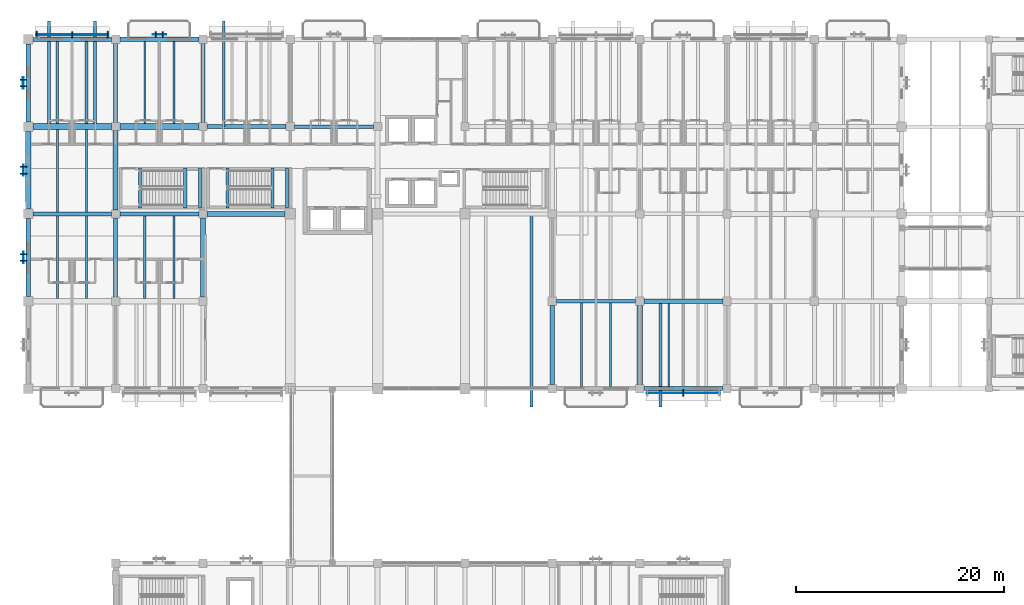
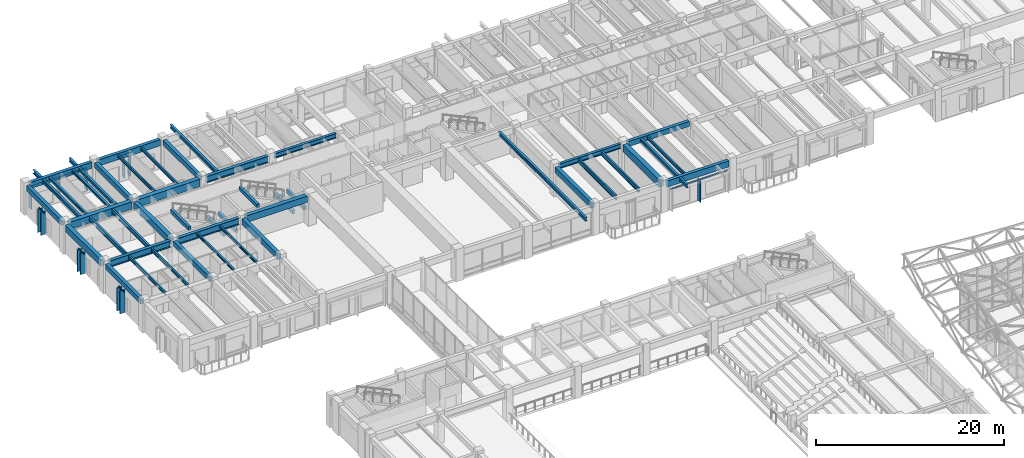
# One storey, part 43 of 132: 46 beams, 18 members, 6 elements without a shape of their own.
"""IFC4 building model written with IfcOpenShell, lengths in metres."""

from ifc_helpers import new_model, si_unit, direction, frame, origin, origin_2d, place, context, subcontext, project, spatial, rectangle, i_section, extrude, material, material_profile, profile_set, type_object, element, aggregate, save


model = new_model("IFC4")

# Units and contexts
model_context = context("Model", 3, precision=1e-05, world=origin(), true_north=direction((0.0, 1.0)))
body_context = subcontext(model_context, "Body", "Model", "MODEL_VIEW")
ifc_project = project(units=[si_unit("LENGTHUNIT", "METRE"), si_unit("AREAUNIT", "SQUARE_METRE"), si_unit("VOLUMEUNIT", "CUBIC_METRE"), si_unit("PLANEANGLEUNIT", "RADIAN"), si_unit("MASSUNIT", "GRAM", prefix="KILO")], contexts=[model_context])

# Site, building, storey
site_placement = place(None, origin())
site = spatial("IfcSite", under=ifc_project, at=site_placement, CompositionType="ELEMENT")
building_placement = place(site_placement, origin())
building = spatial("IfcBuilding", under=site, at=building_placement, Name="Cumbredor Promenade Congress Hotel", CompositionType="ELEMENT")
storey_placement = place(building_placement, frame((0.0, 0.0, 7.56005859375)))
storey = spatial("IfcBuildingStorey", under=building, at=storey_placement, Name="L02", CompositionType="ELEMENT", Elevation=7.56005859375)

# Beams
ifc_material_1 = material(Name="Concrete C40/50", Category="concrete")
ifc_material_profile_1 = material_profile(ifc_material_1, rectangle(XDim=0.39990234375, YDim=0.64990234375, at=origin_2d()), Name="RC BEAM 400x650")
ifc_profile_set_1 = profile_set([ifc_material_profile_1], Name="Concrete C40/50")
beam_type_1 = type_object("IfcBeamType", Name="BM-RC-400x650", PredefinedType="BEAM", material=ifc_profile_set_1)
for number, where, z_axis, x_axis, name in (
    (1, (0.0, 92.85009765625, 3.474853515625), (0.0, 1.0, 0.0), (-1.0, 0.0, 0.0), "L03 Y-Grid Beam 004"),
    (2, (0.0, 109.64990234375, 3.474853515625), (0.0, 1.0, 0.0), (-1.0, 0.0, 0.0), "L03 Y-Grid Beam 008"),
):
    element("IfcBeam", number, at=place(storey_placement, frame(where, z_axis=z_axis, x_axis=x_axis)), inside=storey, type_object=beam_type_1, Name=name, PredefinedType="BEAM", context=body_context, shape_type="SweptSolid", body=[
        extrude(rectangle(XDim=0.39990234375, YDim=0.64990234375, at=origin_2d()), origin(), (0.0, 0.0, 1.0), 7.5),
    ])
for number, where, z_axis, x_axis, name in (
    (3, (8.39990234375, 92.800048828125, 3.474853515625), (0.0, 1.0, 0.0), (-1.0, 0.0, 0.0), "L03 Y-Grid Beam 028"),
    (4, (8.39990234375, 109.60009765625, 3.474853515625), (0.0, 1.0, 0.0), (-1.0, 0.0, 0.0), "L03 Y-Grid Beam 032"),
    (5, (16.800048828125, 109.60009765625, 3.474853515625), (0.0, 1.0, 0.0), (-1.0, 0.0, 0.0), "L03 Y-Grid Beam 048"),
):
    element("IfcBeam", number, at=place(storey_placement, frame(where, z_axis=z_axis, x_axis=x_axis)), inside=storey, type_object=beam_type_1, Name=name, PredefinedType="BEAM", context=body_context, shape_type="SweptSolid", body=[
        extrude(rectangle(XDim=0.39990234375, YDim=0.64990234375, at=origin_2d()), origin(), (0.0, 0.0, 1.0), 7.599853515625),
    ])
beam_1_placement = place(storey_placement, frame((59.199951171875, 92.39990234375, 3.474853515625), z_axis=(1.0, 0.0, 0.0), x_axis=(0.0, 1.0, 0.0)))
element("IfcBeam", 6, at=beam_1_placement, inside=storey, type_object=beam_type_1, Name="L03 X-Grid Beam 108", PredefinedType="BEAM", context=body_context, shape_type="SweptSolid", body=[
    extrude(rectangle(XDim=0.39990234375, YDim=0.64990234375, at=origin_2d()), origin(), (0.0, 0.0, 1.0), 7.60009765625),
])
ifc_material_profile_2 = material_profile(ifc_material_1, rectangle(XDim=0.449951171875, YDim=0.75, at=origin_2d()), Name="RC BEAM 450x750")
ifc_profile_set_2 = profile_set([ifc_material_profile_2], Name="Concrete C40/50")
beam_type_2 = type_object("IfcBeamType", Name="BM-RC-450x750", PredefinedType="BEAM", material=ifc_profile_set_2)
beam_2_placement = place(storey_placement, frame((16.800048828125, 92.800048828125, 3.425048828125), z_axis=(0.0, 1.0, 0.0), x_axis=(-1.0, 0.0, 0.0)))
element("IfcBeam", 7, at=beam_2_placement, inside=storey, type_object=beam_type_2, Name="L03 Y-Grid Beam 045", PredefinedType="BEAM", context=body_context, shape_type="SweptSolid", body=[
    extrude(rectangle(XDim=0.449951171875, YDim=0.75, at=origin_2d()), origin(), (0.0, 0.0, 1.0), 7.599853515625),
])
beam_3_placement = place(storey_placement, frame((50.39990234375, 84.39990234375, 3.425048828125), z_axis=(0.0, 1.0, 0.0), x_axis=(-1.0, 0.0, 0.0)))
element("IfcBeam", 8, at=beam_3_placement, inside=storey, type_object=beam_type_2, Name="L03 Y-Grid Beam 085", PredefinedType="BEAM", context=body_context, shape_type="SweptSolid", body=[
    extrude(rectangle(XDim=0.449951171875, YDim=0.75, at=origin_2d()), origin(), (0.0, 0.0, 1.0), 7.60009765625),
])
ifc_material_profile_3 = material_profile(ifc_material_1, rectangle(XDim=0.5, YDim=0.85009765625, at=origin_2d()), Name="RC BEAM 500x850")
ifc_profile_set_3 = profile_set([ifc_material_profile_3], Name="Concrete C40/50")
beam_type_3 = type_object("IfcBeamType", Name="BM-RC-500x850", PredefinedType="BEAM", material=ifc_profile_set_3)
beam_4_placement = place(storey_placement, frame((0.0, 101.25, 3.375), z_axis=(0.0, 1.0, 0.0), x_axis=(-1.0, 0.0, 0.0)))
element("IfcBeam", 9, at=beam_4_placement, inside=storey, type_object=beam_type_3, Name="L03 Y-Grid Beam 006", PredefinedType="BEAM", context=body_context, shape_type="SweptSolid", body=[
    extrude(rectangle(XDim=0.5, YDim=0.85009765625, at=origin_2d()), origin(), (0.0, 0.0, 1.0), 7.5),
])
beam_5_placement = place(storey_placement, frame((8.39990234375, 101.199951171875, 3.375), z_axis=(0.0, 1.0, 0.0), x_axis=(-1.0, 0.0, 0.0)))
element("IfcBeam", 10, at=beam_5_placement, inside=storey, type_object=beam_type_3, Name="L03 Y-Grid Beam 030", PredefinedType="BEAM", context=body_context, shape_type="SweptSolid", body=[
    extrude(rectangle(XDim=0.5, YDim=0.85009765625, at=origin_2d()), origin(), (0.0, 0.0, 1.0), 7.60009765625),
])
beam_6_placement = place(storey_placement, frame((17.199951171875, 100.800048828125, 3.375), z_axis=(1.0, 0.0, 0.0), x_axis=(0.0, 1.0, 0.0)))
element("IfcBeam", 11, at=beam_6_placement, inside=storey, type_object=beam_type_3, Name="L03 X-Grid Beam 046", PredefinedType="BEAM", context=body_context, shape_type="SweptSolid", body=[
    extrude(rectangle(XDim=0.5, YDim=0.85009765625, at=origin_2d()), origin(), (0.0, 0.0, 1.0), 7.5),
])
ifc_material_profile_4 = material_profile(ifc_material_1, rectangle(XDim=0.550048828125, YDim=0.949951171875, at=origin_2d()), Name="RC BEAM 550x950")
ifc_profile_set_4 = profile_set([ifc_material_profile_4], Name="Concrete C40/50")
beam_type_4 = type_object("IfcBeamType", Name="BM-RC-550x950", PredefinedType="BEAM", material=ifc_profile_set_4)
beam_7_placement = place(storey_placement, frame((0.449951171875, 109.199951171875, 3.324951171875), z_axis=(1.0, 0.0, 0.0), x_axis=(0.0, 1.0, 0.0)))
element("IfcBeam", 12, at=beam_7_placement, inside=storey, type_object=beam_type_4, Name="L03 X-Grid Beam 007", PredefinedType="BEAM", context=body_context, shape_type="SweptSolid", body=[
    extrude(rectangle(XDim=0.550048828125, YDim=0.949951171875, at=origin_2d()), origin(), (0.0, 0.0, 1.0), 7.550048828125),
])
beam_8_placement = place(storey_placement, frame((8.800048828125, 109.199951171875, 3.324951171875), z_axis=(1.0, 0.0, 0.0), x_axis=(0.0, 1.0, 0.0)))
element("IfcBeam", 13, at=beam_8_placement, inside=storey, type_object=beam_type_4, Name="L03 X-Grid Beam 031", PredefinedType="BEAM", context=body_context, shape_type="SweptSolid", body=[
    extrude(rectangle(XDim=0.550048828125, YDim=0.949951171875, at=origin_2d()), origin(), (0.0, 0.0, 1.0), 7.599853515625),
])
beam_9_placement = place(storey_placement, frame((58.800048828125, 84.39990234375, 3.324951171875), z_axis=(0.0, 1.0, 0.0), x_axis=(-1.0, 0.0, 0.0)))
element("IfcBeam", 14, at=beam_9_placement, inside=storey, type_object=beam_type_4, Name="L03 Y-Grid Beam 107", PredefinedType="BEAM", context=body_context, shape_type="SweptSolid", body=[
    extrude(rectangle(XDim=0.550048828125, YDim=0.949951171875, at=origin_2d()), origin(), (0.0, 0.0, 1.0), 7.60009765625),
])
ifc_material_2 = material(Name="Steel ASTM A992 Grade 50", Category="steel")
ifc_material_profile_5 = material_profile(ifc_material_2, i_section(OverallWidth=0.323974609375, OverallDepth=0.611083984375, WebThickness=0.0126953125, FlangeThickness=0.01904296875, at=origin_2d()), Name="W24X104")
ifc_profile_set_5 = profile_set([ifc_material_profile_5], Name="Steel ASTM A992 Grade 50")
beam_type_5 = type_object("IfcBeamType", Name="BM-W24X104", PredefinedType="BEAM", material=ifc_profile_set_5)
for number, where, z_axis, x_axis, name in (
    (15, (25.60009765625, 109.199951171875, 3.494384765625), (1.0, 0.0, 0.0), (0.0, 1.0, 0.0), "L03 X-Grid Beam 056"),
    (16, (50.800048828125, 92.39990234375, 3.494384765625), (1.0, 0.0, 0.0), (0.0, 1.0, 0.0), "L03 X-Grid Beam 086"),
):
    element("IfcBeam", number, at=place(storey_placement, frame(where, z_axis=z_axis, x_axis=x_axis)), inside=storey, type_object=beam_type_5, Name=name, PredefinedType="BEAM", context=body_context, shape_type="SweptSolid", body=[
        extrude(i_section(OverallWidth=0.323974609375, OverallDepth=0.611083984375, WebThickness=0.0126953125, FlangeThickness=0.01904296875, at=origin_2d()), origin(), (0.0, 0.0, 1.0), 7.599853515625),
    ])
ifc_material_profile_6 = material_profile(ifc_material_2, i_section(OverallWidth=0.39990234375, OverallDepth=0.85498046875, WebThickness=0.018310546875, FlangeThickness=0.029296875, at=origin_2d()), Name="W33X201")
ifc_profile_set_6 = profile_set([ifc_material_profile_6], Name="Steel ASTM A992 Grade 50")
beam_type_6 = type_object("IfcBeamType", Name="BM-W33X201", PredefinedType="BEAM", material=ifc_profile_set_6)
beam_10_placement = place(storey_placement, frame((0.449951171875, 100.800048828125, 3.37255859375), z_axis=(1.0, 0.0, 0.0), x_axis=(0.0, 1.0, 0.0)))
element("IfcBeam", 17, at=beam_10_placement, inside=storey, type_object=beam_type_6, Name="L03 X-Grid Beam 005", PredefinedType="BEAM", context=body_context, shape_type="SweptSolid", body=[
    extrude(i_section(OverallWidth=0.39990234375, OverallDepth=0.85498046875, WebThickness=0.018310546875, FlangeThickness=0.029296875, at=origin_2d()), origin(), (0.0, 0.0, 1.0), 7.550048828125),
])
beam_11_placement = place(storey_placement, frame((8.800048828125, 100.800048828125, 3.37255859375), z_axis=(1.0, 0.0, 0.0), x_axis=(0.0, 1.0, 0.0)))
element("IfcBeam", 18, at=beam_11_placement, inside=storey, type_object=beam_type_6, Name="L03 X-Grid Beam 029", PredefinedType="BEAM", context=body_context, shape_type="SweptSolid", body=[
    extrude(i_section(OverallWidth=0.39990234375, OverallDepth=0.85498046875, WebThickness=0.018310546875, FlangeThickness=0.029296875, at=origin_2d()), origin(), (0.0, 0.0, 1.0), 7.599853515625),
])
beam_12_placement = place(storey_placement, frame((17.199951171875, 109.199951171875, 3.37255859375), z_axis=(1.0, 0.0, 0.0), x_axis=(0.0, 1.0, 0.0)))
element("IfcBeam", 19, at=beam_12_placement, inside=storey, type_object=beam_type_6, Name="L03 X-Grid Beam 047", PredefinedType="BEAM", context=body_context, shape_type="SweptSolid", body=[
    extrude(i_section(OverallWidth=0.39990234375, OverallDepth=0.85498046875, WebThickness=0.018310546875, FlangeThickness=0.029296875, at=origin_2d()), origin(), (0.0, 0.0, 1.0), 7.60009765625),
])

# Curtain wall, member
ifc_material_3 = material(Name="Thermally broken anodized aluminium and low-E glass", Category="aluminium")
curtain_wall_type = type_object("IfcCurtainWallType", Name="Solar Brise-Soleil Screen Assembly CW-07", PredefinedType="NOTDEFINED", material=ifc_material_3)
curtain_wall_1_placement = place(storey_placement, origin())
curtain_wall_1 = element("IfcCurtainWall", 20, at=curtain_wall_1_placement, inside=storey, type_object=curtain_wall_type, Name="L02 Hospitality Brise-Soleil Screen 041", PredefinedType="NOTDEFINED")
ifc_material_4 = material(Name="Thermally broken anodized aluminium", Category="aluminium")
ifc_material_profile_7 = material_profile(ifc_material_4, rectangle(XDim=0.06494140625, YDim=0.1298828125, at=origin_2d()), Name="ALU TRANSOM 65x130")
ifc_profile_set_7 = profile_set([ifc_material_profile_7], Name="Thermally broken anodized aluminium")
member_type_1 = type_object("IfcMemberType", Name="Curtain Wall Transom TR-01", PredefinedType="USERDEFINED", material=ifc_profile_set_7)
member_1_placement = place(storey_placement, frame((59.5009765625, 83.577392578125, 2.804931640625), z_axis=(1.0, 0.0, 0.0), x_axis=(0.0, 1.0, 0.0)))
member_1 = element("IfcMember", 21, at=member_1_placement, type_object=member_type_1, Name="L02 Brise-Soleil Screen Transom 041", ObjectType="TRANSOM", PredefinedType="USERDEFINED", context=body_context, shape_type="SweptSolid", body=[
    extrude(rectangle(XDim=0.06494140625, YDim=0.1298828125, at=origin_2d()), origin(), (0.0, 0.0, 1.0), 6.998046875),
])

curtain_wall_2_placement = place(storey_placement, origin())
curtain_wall_2 = element("IfcCurtainWall", 22, at=curtain_wall_2_placement, inside=storey, type_object=curtain_wall_type, Name="L02 Hospitality Brise-Soleil Screen 043", PredefinedType="NOTDEFINED")
member_2_placement = place(storey_placement, frame((0.7509765625, 118.034912109375, 2.804931640625), z_axis=(1.0, 0.0, 0.0), x_axis=(0.0, 1.0, 0.0)))
member_2 = element("IfcMember", 23, at=member_2_placement, type_object=member_type_1, Name="L02 Brise-Soleil Screen Transom 043", ObjectType="TRANSOM", PredefinedType="USERDEFINED", context=body_context, shape_type="SweptSolid", body=[
    extrude(rectangle(XDim=0.06494140625, YDim=0.1298828125, at=origin_2d()), origin(), (0.0, 0.0, 1.0), 6.947998046875),
])

curtain_wall_3_placement = place(storey_placement, origin())
curtain_wall_3 = element("IfcCurtainWall", 24, at=curtain_wall_3_placement, inside=storey, type_object=curtain_wall_type, Name="L02 Veranda Solar Brise-Soleil Screen 475", PredefinedType="NOTDEFINED")
member_3_placement = place(storey_placement, frame((11.949951171875, 118.050048828125, 2.905029296875), z_axis=(1.0, 0.0, 0.0), x_axis=(0.0, 1.0, 0.0)))
member_3 = element("IfcMember", 25, at=member_3_placement, type_object=member_type_1, Name="L02 Brise-Soleil Header Tie 0477", ObjectType="TRANSOM", PredefinedType="USERDEFINED", context=body_context, shape_type="SweptSolid", body=[
    extrude(rectangle(XDim=0.06494140625, YDim=0.1298828125, at=origin_2d()), origin(), (0.0, 0.0, 1.0), 1.300048828125),
])

curtain_wall_4_placement = place(storey_placement, origin())
curtain_wall_4 = element("IfcCurtainWall", 26, at=curtain_wall_4_placement, inside=storey, type_object=curtain_wall_type, Name="L02 Pier Brise-Soleil Screen 0502", PredefinedType="NOTDEFINED")
member_4_placement = place(storey_placement, frame((-0.449951171875, 96.050048828125, 2.974853515625), z_axis=(0.0, 1.0, 0.0), x_axis=(-1.0, 0.0, 0.0)))
member_4 = element("IfcMember", 27, at=member_4_placement, type_object=member_type_1, Name="L02 Pier Brise-Soleil Header 0504", ObjectType="TRANSOM", PredefinedType="USERDEFINED", context=body_context, shape_type="SweptSolid", body=[
    extrude(rectangle(XDim=0.06494140625, YDim=0.1298828125, at=origin_2d()), origin(), (0.0, 0.0, 1.0), 1.099853515625),
])

curtain_wall_5_placement = place(storey_placement, origin())
curtain_wall_5 = element("IfcCurtainWall", 28, at=curtain_wall_5_placement, inside=storey, type_object=curtain_wall_type, Name="L02 Pier Brise-Soleil Screen 0505", PredefinedType="NOTDEFINED")
member_5_placement = place(storey_placement, frame((-0.472412109375, 104.449951171875, 2.77490234375), z_axis=(0.0, 1.0, 0.0), x_axis=(-1.0, 0.0, 0.0)))
member_5 = element("IfcMember", 29, at=member_5_placement, type_object=member_type_1, Name="L02 Pier Brise-Soleil Header 0507", ObjectType="TRANSOM", PredefinedType="USERDEFINED", context=body_context, shape_type="SweptSolid", body=[
    extrude(rectangle(XDim=0.06494140625, YDim=0.1298828125, at=origin_2d()), origin(), (0.0, 0.0, 1.0), 1.10009765625),
])

curtain_wall_6_placement = place(storey_placement, origin())
curtain_wall_6 = element("IfcCurtainWall", 30, at=curtain_wall_6_placement, inside=storey, type_object=curtain_wall_type, Name="L02 Pier Brise-Soleil Screen 0508", PredefinedType="NOTDEFINED")
member_6_placement = place(storey_placement, frame((-0.485107421875, 112.85009765625, 2.974853515625), z_axis=(0.0, 1.0, 0.0), x_axis=(-1.0, 0.0, 0.0)))
member_6 = element("IfcMember", 31, at=member_6_placement, type_object=member_type_1, Name="L02 Pier Brise-Soleil Header 0510", ObjectType="TRANSOM", PredefinedType="USERDEFINED", context=body_context, shape_type="SweptSolid", body=[
    extrude(rectangle(XDim=0.06494140625, YDim=0.1298828125, at=origin_2d()), origin(), (0.0, 0.0, 1.0), 1.099853515625),
])

# Beams
ifc_material_profile_8 = material_profile(ifc_material_2, i_section(OverallWidth=0.202880859375, OverallDepth=0.302978515625, WebThickness=0.007568359375, FlangeThickness=0.01318359375, at=origin_2d()), Name="W12X40")
ifc_profile_set_8 = profile_set([ifc_material_profile_8], Name="Steel ASTM A992 Grade 50")
beam_type_7 = type_object("IfcBeamType", Name="JST-W12X40", PredefinedType="JOIST", material=ifc_profile_set_8)
for number, where, z_axis, x_axis, name in (
    (32, (11.199951171875, 92.675048828125, 3.6484375), (0.0, 1.0, 0.0), (-1.0, 0.0, 0.0), "L03 Secondary Floor Joist 0021"),
    (33, (14.0, 92.675048828125, 3.6484375), (0.0, 1.0, 0.0), (-1.0, 0.0, 0.0), "L03 Secondary Floor Joist 0022"),
):
    element("IfcBeam", number, at=place(storey_placement, frame(where, z_axis=z_axis, x_axis=x_axis)), inside=storey, type_object=beam_type_7, Name=name, PredefinedType="JOIST", context=body_context, shape_type="SweptSolid", body=[
        extrude(i_section(OverallWidth=0.202880859375, OverallDepth=0.302978515625, WebThickness=0.007568359375, FlangeThickness=0.01318359375, at=origin_2d()), origin(), (0.0, 0.0, 1.0), 7.925048828125),
    ])
ifc_material_profile_9 = material_profile(ifc_material_2, i_section(OverallWidth=0.2548828125, OverallDepth=0.35693359375, WebThickness=0.010498046875, FlangeThickness=0.018310546875, at=origin_2d()), Name="W14X68")
ifc_profile_set_9 = profile_set([ifc_material_profile_9], Name="Steel ASTM A992 Grade 50")
beam_type_8 = type_object("IfcBeamType", Name="JST-W14X68", PredefinedType="JOIST", material=ifc_profile_set_9)
for number, where, z_axis, x_axis, name in (
    (34, (2.800048828125, 109.47509765625, 3.621337890625), (0.0, 1.0, 0.0), (-1.0, 0.0, 0.0), "L03 Secondary Floor Joist 0007"),
    (35, (5.60009765625, 109.47509765625, 3.621337890625), (0.0, 1.0, 0.0), (-1.0, 0.0, 0.0), "L03 Secondary Floor Joist 0008"),
):
    element("IfcBeam", number, at=place(storey_placement, frame(where, z_axis=z_axis, x_axis=x_axis)), inside=storey, type_object=beam_type_8, Name=name, PredefinedType="JOIST", context=body_context, shape_type="SweptSolid", body=[
        extrude(i_section(OverallWidth=0.2548828125, OverallDepth=0.35693359375, WebThickness=0.010498046875, FlangeThickness=0.018310546875, at=origin_2d()), origin(), (0.0, 0.0, 1.0), 7.9248046875),
    ])
ifc_material_profile_10 = material_profile(ifc_material_2, i_section(OverallWidth=0.180908203125, OverallDepth=0.4169921875, WebThickness=0.010986328125, FlangeThickness=0.018310546875, at=origin_2d()), Name="W16X57")
ifc_profile_set_10 = profile_set([ifc_material_profile_10], Name="Steel ASTM A992 Grade 50")
beam_type_9 = type_object("IfcBeamType", Name="JST-W16X57", PredefinedType="JOIST", material=ifc_profile_set_10)
for number, where, z_axis, x_axis, name in (
    (36, (2.800048828125, 92.675048828125, 3.591552734375), (0.0, 1.0, 0.0), (-1.0, 0.0, 0.0), "L03 Secondary Floor Joist 0003"),
    (37, (5.60009765625, 92.675048828125, 3.591552734375), (0.0, 1.0, 0.0), (-1.0, 0.0, 0.0), "L03 Secondary Floor Joist 0004"),
):
    element("IfcBeam", number, at=place(storey_placement, frame(where, z_axis=z_axis, x_axis=x_axis)), inside=storey, type_object=beam_type_9, Name=name, PredefinedType="JOIST", context=body_context, shape_type="SweptSolid", body=[
        extrude(i_section(OverallWidth=0.180908203125, OverallDepth=0.4169921875, WebThickness=0.010986328125, FlangeThickness=0.018310546875, at=origin_2d()), origin(), (0.0, 0.0, 1.0), 7.925048828125),
    ])
for number, where, z_axis, x_axis, name in (
    (38, (11.199951171875, 109.47509765625, 3.591552734375), (0.0, 1.0, 0.0), (-1.0, 0.0, 0.0), "L03 Secondary Floor Joist 0023"),
    (39, (14.0, 109.47509765625, 3.591552734375), (0.0, 1.0, 0.0), (-1.0, 0.0, 0.0), "L03 Secondary Floor Joist 0024"),
):
    element("IfcBeam", number, at=place(storey_placement, frame(where, z_axis=z_axis, x_axis=x_axis)), inside=storey, type_object=beam_type_9, Name=name, PredefinedType="JOIST", context=body_context, shape_type="SweptSolid", body=[
        extrude(i_section(OverallWidth=0.180908203125, OverallDepth=0.4169921875, WebThickness=0.010986328125, FlangeThickness=0.018310546875, at=origin_2d()), origin(), (0.0, 0.0, 1.0), 7.9248046875),
    ])
beam_13_placement = place(storey_placement, frame((61.60009765625, 84.199951171875, 3.591552734375), z_axis=(0.0, 1.0, 0.0), x_axis=(-1.0, 0.0, 0.0)))
element("IfcBeam", 40, at=beam_13_placement, inside=storey, type_object=beam_type_9, Name="L03 Secondary Floor Joist 0058", PredefinedType="JOIST", context=body_context, shape_type="SweptSolid", body=[
    extrude(i_section(OverallWidth=0.180908203125, OverallDepth=0.4169921875, WebThickness=0.010986328125, FlangeThickness=0.018310546875, at=origin_2d()), origin(), (0.0, 0.0, 1.0), 8.0),
])
ifc_material_profile_11 = material_profile(ifc_material_2, i_section(OverallWidth=0.280029296875, OverallDepth=0.462890625, WebThickness=0.0107421875, FlangeThickness=0.017333984375, at=origin_2d()), Name="W18X76")
ifc_profile_set_11 = profile_set([ifc_material_profile_11], Name="Steel ASTM A992 Grade 50")
beam_type_10 = type_object("IfcBeamType", Name="JST-W18X76", PredefinedType="JOIST", material=ifc_profile_set_11)
for number, where, z_axis, x_axis, name in (
    (41, (2.0, 109.199951171875, 3.568359375), (0.0, 1.0, 0.0), (-1.0, 0.0, 0.0), "L03 Balcony Back-Spanned Outrigger Beam 012.1"),
    (42, (6.39990234375, 109.199951171875, 3.568359375), (0.0, 1.0, 0.0), (-1.0, 0.0, 0.0), "L03 Balcony Back-Spanned Outrigger Beam 012.2"),
    (43, (18.800048828125, 109.199951171875, 3.568359375), (0.0, 1.0, 0.0), (-1.0, 0.0, 0.0), "L03 Balcony Back-Spanned Outrigger Beam 013.1"),
):
    element("IfcBeam", number, at=place(storey_placement, frame(where, z_axis=z_axis, x_axis=x_axis)), inside=storey, type_object=beam_type_10, Name=name, PredefinedType="JOIST", context=body_context, shape_type="SweptSolid", body=[
        extrude(i_section(OverallWidth=0.280029296875, OverallDepth=0.462890625, WebThickness=0.0107421875, FlangeThickness=0.017333984375, at=origin_2d()), origin(), (0.0, 0.0, 1.0), 10.150146484375),
    ])
beam_14_placement = place(storey_placement, frame((48.39990234375, 82.25, 3.568359375), z_axis=(0.0, 1.0, 0.0), x_axis=(-1.0, 0.0, 0.0)))
element("IfcBeam", 44, at=beam_14_placement, inside=storey, type_object=beam_type_10, Name="L03 Balcony Back-Spanned Outrigger Beam 017.2", PredefinedType="JOIST", context=body_context, shape_type="SweptSolid", body=[
    extrude(i_section(OverallWidth=0.280029296875, OverallDepth=0.462890625, WebThickness=0.0107421875, FlangeThickness=0.017333984375, at=origin_2d()), origin(), (0.0, 0.0, 1.0), 18.550048828125),
])
beam_15_placement = place(storey_placement, frame((60.800048828125, 82.25, 3.568359375), z_axis=(0.0, 1.0, 0.0), x_axis=(-1.0, 0.0, 0.0)))
element("IfcBeam", 45, at=beam_15_placement, inside=storey, type_object=beam_type_10, Name="L03 Balcony Back-Spanned Outrigger Beam 018.1", PredefinedType="JOIST", context=body_context, shape_type="SweptSolid", body=[
    extrude(i_section(OverallWidth=0.280029296875, OverallDepth=0.462890625, WebThickness=0.0107421875, FlangeThickness=0.017333984375, at=origin_2d()), origin(), (0.0, 0.0, 1.0), 10.14990234375),
])
ifc_material_profile_12 = material_profile(ifc_material_2, i_section(OverallWidth=0.214111328125, OverallDepth=0.549072265625, WebThickness=0.0146484375, FlangeThickness=0.023681640625, at=origin_2d()), Name="W21X93")
ifc_profile_set_12 = profile_set([ifc_material_profile_12], Name="Steel ASTM A992 Grade 50")
beam_type_11 = type_object("IfcBeamType", Name="JST-W21X93", PredefinedType="JOIST", material=ifc_profile_set_12)
for number, where, z_axis, x_axis, name in (
    (46, (2.800048828125, 101.0, 3.525390625), (0.0, 1.0, 0.0), (-1.0, 0.0, 0.0), "L03 Secondary Floor Joist 0005"),
    (47, (5.60009765625, 101.0, 3.525390625), (0.0, 1.0, 0.0), (-1.0, 0.0, 0.0), "L03 Secondary Floor Joist 0006"),
):
    element("IfcBeam", number, at=place(storey_placement, frame(where, z_axis=z_axis, x_axis=x_axis)), inside=storey, type_object=beam_type_11, Name=name, PredefinedType="JOIST", context=body_context, shape_type="SweptSolid", body=[
        extrude(i_section(OverallWidth=0.214111328125, OverallDepth=0.549072265625, WebThickness=0.0146484375, FlangeThickness=0.023681640625, at=origin_2d()), origin(), (0.0, 0.0, 1.0), 7.925048828125),
    ])
for number, where, z_axis, x_axis, name in (
    (48, (53.199951171875, 84.199951171875, 3.525390625), (0.0, 1.0, 0.0), (-1.0, 0.0, 0.0), "L03 Secondary Floor Joist 0040"),
    (49, (56.0, 84.199951171875, 3.525390625), (0.0, 1.0, 0.0), (-1.0, 0.0, 0.0), "L03 Secondary Floor Joist 0041"),
):
    element("IfcBeam", number, at=place(storey_placement, frame(where, z_axis=z_axis, x_axis=x_axis)), inside=storey, type_object=beam_type_11, Name=name, PredefinedType="JOIST", context=body_context, shape_type="SweptSolid", body=[
        extrude(i_section(OverallWidth=0.214111328125, OverallDepth=0.549072265625, WebThickness=0.0146484375, FlangeThickness=0.023681640625, at=origin_2d()), origin(), (0.0, 0.0, 1.0), 8.0380859375),
    ])
ifc_material_profile_13 = material_profile(ifc_material_1, rectangle(XDim=0.300048828125, YDim=0.5, at=origin_2d()), Name="RC LINTEL 300x500")
ifc_profile_set_13 = profile_set([ifc_material_profile_13], Name="Concrete C40/50")
beam_type_12 = type_object("IfcBeamType", Name="LN-RC-300x500", PredefinedType="LINTEL", material=ifc_profile_set_13)
for number, where, z_axis, x_axis, name in (
    (50, (16.5, 101.3701171875, 1.64990234375), (0.0, 1.0, 0.0), (-1.0, 0.0, 0.0), "L02 Stair ST-01 Landing Ledger Beam E"),
    (51, (15.10009765625, 101.3701171875, 1.64990234375), (0.0, 1.0, 0.0), (-1.0, 0.0, 0.0), "L02 Stair ST-01 Landing Ledger Beam W"),
    (52, (10.75, 101.3701171875, 3.949951171875), (0.0, 1.0, 0.0), (-1.0, 0.0, 0.0), "L03 Stair ST-01 Well Header Trimmer Beam"),
    (53, (24.89990234375, 101.3701171875, 1.64990234375), (0.0, 1.0, 0.0), (-1.0, 0.0, 0.0), "L02 Stair ST-02 Landing Ledger Beam E"),
    (54, (23.5, 101.3701171875, 1.64990234375), (0.0, 1.0, 0.0), (-1.0, 0.0, 0.0), "L02 Stair ST-02 Landing Ledger Beam W"),
    (55, (19.14990234375, 101.3701171875, 3.949951171875), (0.0, 1.0, 0.0), (-1.0, 0.0, 0.0), "L03 Stair ST-02 Well Header Trimmer Beam"),
):
    element("IfcBeam", number, at=place(storey_placement, frame(where, z_axis=z_axis, x_axis=x_axis)), inside=storey, type_object=beam_type_12, Name=name, PredefinedType="LINTEL", context=body_context, shape_type="SweptSolid", body=[
        extrude(rectangle(XDim=0.300048828125, YDim=0.5, at=origin_2d()), origin(), (0.0, 0.0, 1.0), 3.829833984375),
    ])
ifc_material_profile_14 = material_profile(ifc_material_1, rectangle(XDim=0.39990234375, YDim=0.800048828125, at=origin_2d()), Name="RC SPANDREL 400x800")
ifc_profile_set_14 = profile_set([ifc_material_profile_14], Name="Concrete C40/50")
beam_type_13 = type_object("IfcBeamType", Name="SP-RC-400x800", PredefinedType="SPANDREL", material=ifc_profile_set_14)
beam_16_placement = place(storey_placement, frame((0.449951171875, 117.60009765625, 3.39990234375), z_axis=(1.0, 0.0, 0.0), x_axis=(0.0, 1.0, 0.0)))
element("IfcBeam", 56, at=beam_16_placement, inside=storey, type_object=beam_type_13, Name="L03 X-Grid Beam 009", PredefinedType="SPANDREL", context=body_context, shape_type="SweptSolid", body=[
    extrude(rectangle(XDim=0.39990234375, YDim=0.800048828125, at=origin_2d()), origin(), (0.0, 0.0, 1.0), 7.550048828125),
])
beam_17_placement = place(storey_placement, frame((8.800048828125, 117.60009765625, 3.39990234375), z_axis=(1.0, 0.0, 0.0), x_axis=(0.0, 1.0, 0.0)))
element("IfcBeam", 57, at=beam_17_placement, inside=storey, type_object=beam_type_13, Name="L03 X-Grid Beam 033", PredefinedType="SPANDREL", context=body_context, shape_type="SweptSolid", body=[
    extrude(rectangle(XDim=0.39990234375, YDim=0.800048828125, at=origin_2d()), origin(), (0.0, 0.0, 1.0), 7.599853515625),
])
beam_18_placement = place(storey_placement, frame((59.199951171875, 84.0, 3.39990234375), z_axis=(1.0, 0.0, 0.0), x_axis=(0.0, 1.0, 0.0)))
element("IfcBeam", 58, at=beam_18_placement, inside=storey, type_object=beam_type_13, Name="L03 X-Grid Beam 106", PredefinedType="SPANDREL", context=body_context, shape_type="SweptSolid", body=[
    extrude(rectangle(XDim=0.39990234375, YDim=0.800048828125, at=origin_2d()), origin(), (0.0, 0.0, 1.0), 7.60009765625),
])

# Member
ifc_material_profile_15 = material_profile(ifc_material_4, rectangle(XDim=0.110107421875, YDim=0.6201171875, at=origin_2d()), Name="ARCH FIN 110x620")
ifc_profile_set_15 = profile_set([ifc_material_profile_15], Name="Thermally broken anodized aluminium")
member_type_2 = type_object("IfcMemberType", Name="Vertical Bronze Brise-Soleil Fin BSF-02 110x620", PredefinedType="USERDEFINED", material=ifc_profile_set_15)
member_7_placement = place(storey_placement, frame((63.0, 83.577392578125, 0.02001953125), z_axis=(0.0, 0.0, 1.0), x_axis=(1.0, 0.0, 0.0)))
member_7 = element("IfcMember", 59, at=member_7_placement, type_object=member_type_2, Name="L02 Vertical Brise-Soleil Fin 0464", ObjectType="SOLAR FIN", PredefinedType="USERDEFINED", context=body_context, shape_type="SweptSolid", body=[
    extrude(rectangle(XDim=0.110107421875, YDim=0.6201171875, at=origin_2d()), origin(), (0.0, 0.0, 1.0), 2.844970703125),
])

aggregate(curtain_wall_1, [member_1, member_7])

member_8_placement = place(storey_placement, frame((0.801025390625, 118.034912109375, 0.02001953125), z_axis=(0.0, 0.0, 1.0), x_axis=(1.0, 0.0, 0.0)))
member_8 = element("IfcMember", 60, at=member_8_placement, type_object=member_type_2, Name="L02 Vertical Brise-Soleil Fin 0472", ObjectType="SOLAR FIN", PredefinedType="USERDEFINED", context=body_context, shape_type="SweptSolid", body=[
    extrude(rectangle(XDim=0.110107421875, YDim=0.6201171875, at=origin_2d()), origin(), (0.0, 0.0, 1.0), 2.844970703125),
])

member_9_placement = place(storey_placement, frame((7.64892578125, 118.034912109375, 0.02001953125), z_axis=(0.0, 0.0, 1.0), x_axis=(1.0, 0.0, 0.0)))
member_9 = element("IfcMember", 61, at=member_9_placement, type_object=member_type_2, Name="L02 Vertical Brise-Soleil Fin 0474", ObjectType="SOLAR FIN", PredefinedType="USERDEFINED", context=body_context, shape_type="SweptSolid", body=[
    extrude(rectangle(XDim=0.110107421875, YDim=0.6201171875, at=origin_2d()), origin(), (0.0, 0.0, 1.0), 2.844970703125),
])

member_10_placement = place(storey_placement, frame((-0.449951171875, 96.280029296875, 0.02001953125), z_axis=(0.0, 0.0, 1.0), x_axis=(0.0, 1.0, 0.0)))
member_10 = element("IfcMember", 62, at=member_10_placement, type_object=member_type_2, Name="L02 Pier Brise-Soleil Fin 0503", ObjectType="SOLAR FIN", PredefinedType="USERDEFINED", context=body_context, shape_type="SweptSolid", body=[
    extrude(rectangle(XDim=0.110107421875, YDim=0.6201171875, at=origin_2d()), origin(), (0.0, 0.0, 1.0), 2.994873046875),
])

member_11_placement = place(storey_placement, frame((-0.449951171875, 96.919921875, 0.02001953125), z_axis=(0.0, 0.0, 1.0), x_axis=(0.0, 1.0, 0.0)))
member_11 = element("IfcMember", 63, at=member_11_placement, type_object=member_type_2, Name="L02 Pier Brise-Soleil Fin 0504", ObjectType="SOLAR FIN", PredefinedType="USERDEFINED", context=body_context, shape_type="SweptSolid", body=[
    extrude(rectangle(XDim=0.110107421875, YDim=0.6201171875, at=origin_2d()), origin(), (0.0, 0.0, 1.0), 2.994873046875),
])

aggregate(curtain_wall_4, [member_10, member_11, member_4])

member_12_placement = place(storey_placement, frame((-0.472412109375, 104.679931640625, 0.02001953125), z_axis=(0.0, 0.0, 1.0), x_axis=(0.0, 1.0, 0.0)))
member_12 = element("IfcMember", 64, at=member_12_placement, type_object=member_type_2, Name="L02 Pier Brise-Soleil Fin 0506", ObjectType="SOLAR FIN", PredefinedType="USERDEFINED", context=body_context, shape_type="SweptSolid", body=[
    extrude(rectangle(XDim=0.110107421875, YDim=0.6201171875, at=origin_2d()), origin(), (0.0, 0.0, 1.0), 2.794921875),
])

member_13_placement = place(storey_placement, frame((-0.472412109375, 105.320068359375, 0.02001953125), z_axis=(0.0, 0.0, 1.0), x_axis=(0.0, 1.0, 0.0)))
member_13 = element("IfcMember", 65, at=member_13_placement, type_object=member_type_2, Name="L02 Pier Brise-Soleil Fin 0507", ObjectType="SOLAR FIN", PredefinedType="USERDEFINED", context=body_context, shape_type="SweptSolid", body=[
    extrude(rectangle(XDim=0.110107421875, YDim=0.6201171875, at=origin_2d()), origin(), (0.0, 0.0, 1.0), 2.794921875),
])

aggregate(curtain_wall_5, [member_12, member_13, member_5])

member_14_placement = place(storey_placement, frame((-0.485107421875, 113.080078125, 0.02001953125), z_axis=(0.0, 0.0, 1.0), x_axis=(0.0, 1.0, 0.0)))
member_14 = element("IfcMember", 66, at=member_14_placement, type_object=member_type_2, Name="L02 Pier Brise-Soleil Fin 0509", ObjectType="SOLAR FIN", PredefinedType="USERDEFINED", context=body_context, shape_type="SweptSolid", body=[
    extrude(rectangle(XDim=0.110107421875, YDim=0.6201171875, at=origin_2d()), origin(), (0.0, 0.0, 1.0), 2.994873046875),
])

member_15_placement = place(storey_placement, frame((-0.485107421875, 113.719970703125, 0.02001953125), z_axis=(0.0, 0.0, 1.0), x_axis=(0.0, 1.0, 0.0)))
member_15 = element("IfcMember", 67, at=member_15_placement, type_object=member_type_2, Name="L02 Pier Brise-Soleil Fin 0510", ObjectType="SOLAR FIN", PredefinedType="USERDEFINED", context=body_context, shape_type="SweptSolid", body=[
    extrude(rectangle(XDim=0.110107421875, YDim=0.6201171875, at=origin_2d()), origin(), (0.0, 0.0, 1.0), 2.994873046875),
])

aggregate(curtain_wall_6, [member_14, member_15, member_6])

ifc_material_5 = material(Name="Kiln-dried tropical hardwood", Category="wood")
ifc_material_profile_16 = material_profile(ifc_material_5, rectangle(XDim=0.090087890625, YDim=0.550048828125, at=origin_2d()), Name="ARCH FIN 90x550")
ifc_profile_set_16 = profile_set([ifc_material_profile_16], Name="Kiln-dried tropical hardwood")
member_type_3 = type_object("IfcMemberType", Name="Vertical Hardwood Brise-Soleil Fin BSF-01 90x550", PredefinedType="USERDEFINED", material=ifc_profile_set_16)
member_16_placement = place(storey_placement, frame((4.22509765625, 118.034912109375, 0.02001953125), z_axis=(0.0, 0.0, 1.0), x_axis=(1.0, 0.0, 0.0)))
member_16 = element("IfcMember", 68, at=member_16_placement, type_object=member_type_3, Name="L02 Vertical Brise-Soleil Fin 0473", ObjectType="SOLAR FIN", PredefinedType="USERDEFINED", context=body_context, shape_type="SweptSolid", body=[
    extrude(rectangle(XDim=0.090087890625, YDim=0.550048828125, at=origin_2d()), origin(), (0.0, 0.0, 1.0), 2.844970703125),
])

aggregate(curtain_wall_2, [member_2, member_8, member_16, member_9])

member_17_placement = place(storey_placement, frame((12.25, 118.050048828125, -0.010009765625), z_axis=(0.0, 0.0, 1.0), x_axis=(1.0, 0.0, 0.0)))
member_17 = element("IfcMember", 69, at=member_17_placement, type_object=member_type_3, Name="L02 Vertical Hardwood Brise-Soleil Fin 0476", ObjectType="SOLAR FIN", PredefinedType="USERDEFINED", context=body_context, shape_type="SweptSolid", body=[
    extrude(rectangle(XDim=0.090087890625, YDim=0.550048828125, at=origin_2d()), origin(), (0.0, 0.0, 1.0), 2.974853515625),
])

member_18_placement = place(storey_placement, frame((12.949951171875, 118.050048828125, -0.010009765625), z_axis=(0.0, 0.0, 1.0), x_axis=(1.0, 0.0, 0.0)))
member_18 = element("IfcMember", 70, at=member_18_placement, type_object=member_type_3, Name="L02 Vertical Hardwood Brise-Soleil Fin 0477", ObjectType="SOLAR FIN", PredefinedType="USERDEFINED", context=body_context, shape_type="SweptSolid", body=[
    extrude(rectangle(XDim=0.090087890625, YDim=0.550048828125, at=origin_2d()), origin(), (0.0, 0.0, 1.0), 2.974853515625),
])

aggregate(curtain_wall_3, [member_17, member_18, member_3])

save(model, "model.ifc")
